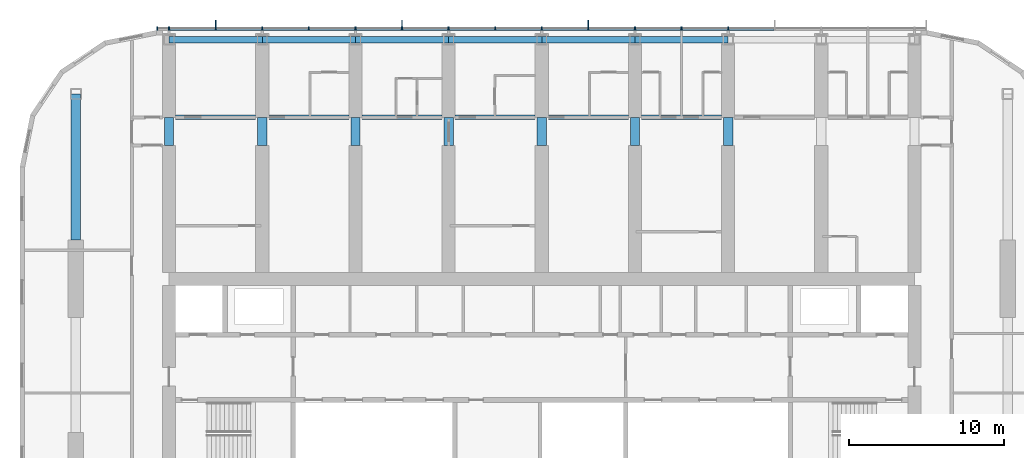
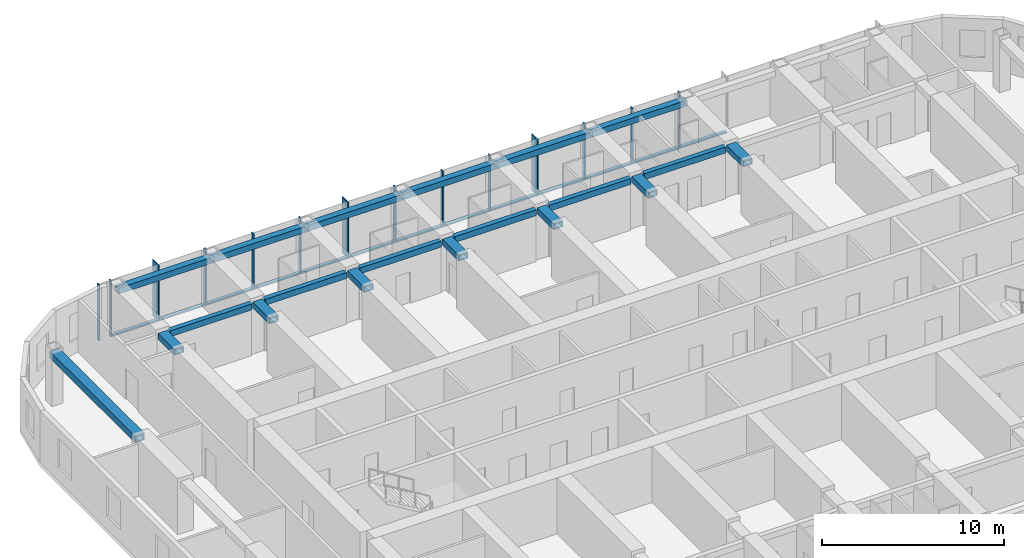
# One storey, part 4 of 23: 30 members, 20 beams, 1 element without a shape of its own.
"""IFC4 building model written with IfcOpenShell, lengths in metres."""

import ifcopenshell
import ifcopenshell.guid

model = None  # the IFC model being written
_history = None  # IfcOwnerHistory: only IFC2X3 demands one
_inside = {}  # id of a spatial element -> (the spatial element, [elements in it])
_under = {}  # id of a project, library or spatial element -> (it, [spatial elements below it])
_declared = {}  # id of a project -> (the project, [libraries it declares])
_typed = {}  # id of a type object -> (the type object, [elements of that type])
_made_of = {}  # id of a material, layer set ... -> (it, [elements and type objects made of it])


def new_model(schema):
    """Start an empty IFC model of exactly this schema.

    Asked for "IFC4X3", IfcOpenShell would pick the latest addendum, in which some entities
    have other attributes; the version numbers below select the first issue.
    IFC2X3 requires an IfcOwnerHistory on every rooted entity: one is made here for all.
    """
    global model, _history
    if schema == "IFC4X3":
        model = ifcopenshell.file(schema_version=(4, 3, 0, 0))
    else:
        model = ifcopenshell.file(schema=schema)
    _inside.clear()
    _under.clear()
    _declared.clear()
    _typed.clear()
    _made_of.clear()
    _history = None
    if model.schema == "IFC2X3":
        org = make("IfcOrganization", Name="unknown")
        user = make(
            "IfcPersonAndOrganization",
            ThePerson=make("IfcPerson", FamilyName="unknown"),
            TheOrganization=org,
        )
        app = make(
            "IfcApplication",
            ApplicationDeveloper=org,
            Version="unknown",
            ApplicationFullName="unknown",
            ApplicationIdentifier="unknown",
        )
        _history = make(
            "IfcOwnerHistory",
            OwningUser=user,
            OwningApplication=app,
            ChangeAction="ADDED",
            CreationDate=0,
        )
    return model


def make(cls, **values):
    """One entity of the class cls with the attributes given. An attribute that is None is left unset."""
    return model.create_entity(
        cls, **{name: value for name, value in values.items() if value is not None}
    )


def rooted(cls, **values):
    """An entity with a GlobalId (a new one), such as an element, a storey or a relation."""
    return make(cls, GlobalId=ifcopenshell.guid.new(), OwnerHistory=_history, **values)


def si_unit(unit_type, name, prefix=None):
    """IfcSIUnit, for example si_unit("LENGTHUNIT", "METRE", prefix="MILLI")."""
    return make("IfcSIUnit", UnitType=unit_type, Prefix=prefix, Name=name)


def assignment(units):
    """IfcUnitAssignment: the units of a project."""
    return None if units is None else make("IfcUnitAssignment", Units=units)


def point(xyz):
    """IfcCartesianPoint."""
    return None if xyz is None else make("IfcCartesianPoint", Coordinates=xyz)


def direction(xyz):
    """IfcDirection."""
    return None if xyz is None else make("IfcDirection", DirectionRatios=xyz)


def frame(location, z_axis=None, x_axis=None):
    """IfcAxis2Placement3D, a coordinate frame: its origin and axes. An axis left out is left unset."""
    return make(
        "IfcAxis2Placement3D",
        Location=point(location),
        Axis=direction(z_axis),
        RefDirection=direction(x_axis),
    )


def frame_2d(location, x_axis=None):
    """IfcAxis2Placement2D, a coordinate frame in the plane: its origin and x axis."""
    return make(
        "IfcAxis2Placement2D", Location=point(location), RefDirection=direction(x_axis)
    )


def origin():
    """The frame at (0, 0, 0) with its axes left unset."""
    return frame((0.0, 0.0, 0.0))


def origin_2d():
    """The frame at (0, 0) in the plane with its x axis left unset."""
    return frame_2d((0.0, 0.0))


def place(relative_to, where):
    """IfcLocalPlacement: puts the frame where relative to a parent placement (None: the world)."""
    return make(
        "IfcLocalPlacement", PlacementRelTo=relative_to, RelativePlacement=where
    )


def context(
    kind, dimensions, precision=None, world=None, true_north=None, identifier=None
):
    """IfcGeometricRepresentationContext, for example the 3D "Model" context."""
    return make(
        "IfcGeometricRepresentationContext",
        ContextIdentifier=identifier,
        ContextType=kind,
        CoordinateSpaceDimension=dimensions,
        Precision=precision,
        WorldCoordinateSystem=world,
        TrueNorth=true_north,
    )


def subcontext(parent, identifier, kind, view, scale=None):
    """IfcGeometricRepresentationSubContext, for example "Body" below "Model"."""
    return make(
        "IfcGeometricRepresentationSubContext",
        ContextIdentifier=identifier,
        ContextType=kind,
        ParentContext=parent,
        TargetScale=scale,
        TargetView=view,
    )


def project(units=None, contexts=None):
    """IfcProject with its units and contexts."""
    return rooted(
        "IfcProject",
        Name="project",
        RepresentationContexts=contexts,
        UnitsInContext=assignment(units),
    )


def spatial(cls, under=None, at=None, **own):
    """A site, building, storey or space (cls), placed at a placement, below another one or the project."""
    s = rooted(cls, ObjectPlacement=at, **own)
    if under is not None:
        _under.setdefault(under.id(), (under, []))[1].append(s)
    return s


def profile(cls, at=None, kind="AREA", **sizes):
    """A parametric profile (cls). Its sizes go by their IFC names, for example OverallWidth=200.0."""
    return make(cls, ProfileType=kind, Position=at, **sizes)


def rectangle(**sizes):
    """IfcRectangleProfileDef."""
    return profile("IfcRectangleProfileDef", **sizes)


def hollow_rectangle(**sizes):
    """IfcRectangleHollowProfileDef."""
    return profile("IfcRectangleHollowProfileDef", **sizes)


def extrude(swept, where, along, depth):
    """IfcExtrudedAreaSolid: the profile swept, set in the frame where, extruded along a direction by depth."""
    return make(
        "IfcExtrudedAreaSolid",
        SweptArea=swept,
        Position=where,
        ExtrudedDirection=direction(along),
        Depth=depth,
    )


def shape(context_of_items, identifier, shape_type, items):
    """IfcShapeRepresentation: the items that make up one representation, for example the "Body"."""
    return make(
        "IfcShapeRepresentation",
        ContextOfItems=context_of_items,
        RepresentationIdentifier=identifier,
        RepresentationType=shape_type,
        Items=items,
    )


def material(Name=None, Category=None):
    """IfcMaterial."""
    return make("IfcMaterial", Name=Name, Category=Category)


def material_profile(
    of_material, cross_section, Name=None, Category=None, Priority=None
):
    """IfcMaterialProfile: a cross section and its material."""
    return make(
        "IfcMaterialProfile",
        Name=Name,
        Material=of_material,
        Profile=cross_section,
        Priority=Priority,
        Category=Category,
    )


def profile_set(profiles, Name=None, composite=None):
    """IfcMaterialProfileSet."""
    return make(
        "IfcMaterialProfileSet",
        Name=Name,
        MaterialProfiles=profiles,
        CompositeProfile=composite,
    )


def made_of(thing, what):
    """Note that an element or type object is made of a material, layer set ...; save() writes the relation."""
    if what is not None:
        _made_of.setdefault(what.id(), (what, []))[1].append(thing)
    return thing


def type_object(cls, material=None, **own):
    """A type object (cls), such as IfcWallType, which elements share."""
    return made_of(rooted(cls, **own), material)


def element(
    cls,
    number,
    at=None,
    inside=None,
    cuts=None,
    type_object=None,
    material=None,
    context=None,
    identifier="Body",
    shape_type=None,
    held_by="IfcProductDefinitionShape",
    body=None,
    shapes=None,
    **own,
):
    """One element of the class cls, such as IfcWall. Its Tag is "e" and its number.

    at: its placement. inside: the storey or other place that contains it. cuts: it is an
    opening in that element (IfcRelVoidsElement). A single representation is given by context,
    identifier, shape_type and body (its items); several are given by shapes. held_by: the class
    of the entity that holds the representations. save() writes the other relations.
    """
    e = rooted(cls, Tag="e%d" % number, ObjectPlacement=at, **own)
    if body is not None:
        shapes = [shape(context, identifier, shape_type, body)]
    if shapes is not None:
        e.Representation = make(held_by, Representations=shapes)
    if inside is not None:
        _inside.setdefault(inside.id(), (inside, []))[1].append(e)
    if cuts is not None:
        rooted(
            "IfcRelVoidsElement", RelatingBuildingElement=cuts, RelatedOpeningElement=e
        )
    if type_object is not None:
        _typed.setdefault(type_object.id(), (type_object, []))[1].append(e)
    return made_of(e, material)


def aggregate(whole, parts):
    """IfcRelAggregates: a whole, such as a stair, and the parts it consists of."""
    return rooted("IfcRelAggregates", RelatingObject=whole, RelatedObjects=parts)


def save(model, path):
    """Write the relations noted so far, then the file.

    IfcRelAggregates (storeys below a building ...), IfcRelContainedInSpatialStructure (elements
    in a storey), IfcRelDefinesByType, IfcRelAssociatesMaterial and IfcRelDeclares: one each for
    every whole, place, type object, material and project.
    """
    for whole, parts in _under.values():
        aggregate(whole, parts)
    for where, things in _inside.values():
        rooted(
            "IfcRelContainedInSpatialStructure",
            RelatedElements=things,
            RelatingStructure=where,
        )
    for kind, things in _typed.values():
        rooted("IfcRelDefinesByType", RelatedObjects=things, RelatingType=kind)
    for what, things in _made_of.values():
        rooted("IfcRelAssociatesMaterial", RelatedObjects=things, RelatingMaterial=what)
    for by, libraries in _declared.values():
        rooted("IfcRelDeclares", RelatingContext=by, RelatedDefinitions=libraries)
    model.write(path)


model = new_model("IFC4")

# Units and contexts
model_context = context("Model", 3, precision=1e-05, world=origin(), true_north=direction((0.0, 1.0)))
body_context = subcontext(model_context, "Body", "Model", "MODEL_VIEW")
ifc_project = project(units=[si_unit("LENGTHUNIT", "METRE"), si_unit("AREAUNIT", "SQUARE_METRE"), si_unit("VOLUMEUNIT", "CUBIC_METRE"), si_unit("PLANEANGLEUNIT", "RADIAN"), si_unit("MASSUNIT", "GRAM", prefix="KILO")], contexts=[model_context])

# Site, building, storey
site_placement = place(None, origin())
site = spatial("IfcSite", under=ifc_project, at=site_placement, CompositionType="ELEMENT")
building_placement = place(site_placement, origin())
building = spatial("IfcBuilding", under=site, at=building_placement, Name="Orbita Commons", CompositionType="ELEMENT")
storey_placement = place(building_placement, frame((0.0, 0.0, 171.10009765625)))
storey = spatial("IfcBuildingStorey", under=building, at=storey_placement, Name="L42", CompositionType="ELEMENT", Elevation=171.10009765625)

# Curtain wall, members
ifc_material_1 = material(Name="Anodised aluminium frame, pale silver", Category="aluminium")
curtain_wall_type = type_object("IfcCurtainWallType", Name="Unitised curtain wall CW-U, full-height vision", PredefinedType="NOTDEFINED", material=ifc_material_1)
curtain_wall_placement = place(storey_placement, origin())
curtain_wall = element("IfcCurtainWall", 1, at=curtain_wall_placement, inside=storey, type_object=curtain_wall_type, Name="Curtain wall north L42", PredefinedType="NOTDEFINED")
ifc_material_2 = material(Name="Anodised aluminium, pale silver", Category="aluminium")
ifc_material_profile_1 = material_profile(ifc_material_2, rectangle(XDim=0.080078125, YDim=0.219970703125, at=origin_2d()), Name="AL 80x220")
ifc_profile_set_1 = profile_set([ifc_material_profile_1], Name="Anodised aluminium, pale silver")
member_type_1 = type_object("IfcMemberType", Name="Curtain wall mullion 80x220", PredefinedType="MULLION", material=ifc_profile_set_1)
member_1_placement = place(storey_placement, frame((54.0, 54.31005859375, -0.25), z_axis=(0.0, 0.0, 1.0), x_axis=(-1.0, 0.0, 0.0)))
member_1 = element("IfcMember", 2, at=member_1_placement, type_object=member_type_1, Name="Mullion 6 CW-L42-N", PredefinedType="MULLION", context=body_context, shape_type="SweptSolid", body=[
    extrude(rectangle(XDim=0.080078125, YDim=0.219970703125, at=origin_2d()), origin(), (0.0, 0.0, 1.0), 3.75),
])
member_2_placement = place(storey_placement, frame((51.0, 54.31005859375, -0.25), z_axis=(0.0, 0.0, 1.0), x_axis=(-1.0, 0.0, 0.0)))
member_2 = element("IfcMember", 3, at=member_2_placement, type_object=member_type_1, Name="Mullion 7 CW-L42-N", PredefinedType="MULLION", context=body_context, shape_type="SweptSolid", body=[
    extrude(rectangle(XDim=0.080078125, YDim=0.219970703125, at=origin_2d()), origin(), (0.0, 0.0, 1.0), 3.75),
])
member_3_placement = place(storey_placement, frame((48.0, 54.31005859375, -0.25), z_axis=(0.0, 0.0, 1.0), x_axis=(-1.0, 0.0, 0.0)))
member_3 = element("IfcMember", 4, at=member_3_placement, type_object=member_type_1, Name="Mullion 8 CW-L42-N", PredefinedType="MULLION", context=body_context, shape_type="SweptSolid", body=[
    extrude(rectangle(XDim=0.080078125, YDim=0.219970703125, at=origin_2d()), origin(), (0.0, 0.0, 1.0), 3.75),
])
member_4_placement = place(storey_placement, frame((45.0, 54.31005859375, -0.25), z_axis=(0.0, 0.0, 1.0), x_axis=(-1.0, 0.0, 0.0)))
member_4 = element("IfcMember", 5, at=member_4_placement, type_object=member_type_1, Name="Mullion 9 CW-L42-N", PredefinedType="MULLION", context=body_context, shape_type="SweptSolid", body=[
    extrude(rectangle(XDim=0.080078125, YDim=0.219970703125, at=origin_2d()), origin(), (0.0, 0.0, 1.0), 3.75),
])
member_5_placement = place(storey_placement, frame((42.0, 54.31005859375, -0.25), z_axis=(0.0, 0.0, 1.0), x_axis=(-1.0, 0.0, 0.0)))
member_5 = element("IfcMember", 6, at=member_5_placement, type_object=member_type_1, Name="Mullion 10 CW-L42-N", PredefinedType="MULLION", context=body_context, shape_type="SweptSolid", body=[
    extrude(rectangle(XDim=0.080078125, YDim=0.219970703125, at=origin_2d()), origin(), (0.0, 0.0, 1.0), 3.75),
])
member_6_placement = place(storey_placement, frame((39.0, 54.31005859375, -0.25), z_axis=(0.0, 0.0, 1.0), x_axis=(-1.0, 0.0, 0.0)))
member_6 = element("IfcMember", 7, at=member_6_placement, type_object=member_type_1, Name="Mullion 11 CW-L42-N", PredefinedType="MULLION", context=body_context, shape_type="SweptSolid", body=[
    extrude(rectangle(XDim=0.080078125, YDim=0.219970703125, at=origin_2d()), origin(), (0.0, 0.0, 1.0), 3.75),
])
member_7_placement = place(storey_placement, frame((36.0, 54.31005859375, -0.25), z_axis=(0.0, 0.0, 1.0), x_axis=(-1.0, 0.0, 0.0)))
member_7 = element("IfcMember", 8, at=member_7_placement, type_object=member_type_1, Name="Mullion 12 CW-L42-N", PredefinedType="MULLION", context=body_context, shape_type="SweptSolid", body=[
    extrude(rectangle(XDim=0.080078125, YDim=0.219970703125, at=origin_2d()), origin(), (0.0, 0.0, 1.0), 3.75),
])
member_8_placement = place(storey_placement, frame((33.0, 54.31005859375, -0.25), z_axis=(0.0, 0.0, 1.0), x_axis=(-1.0, 0.0, 0.0)))
member_8 = element("IfcMember", 9, at=member_8_placement, type_object=member_type_1, Name="Mullion 13 CW-L42-N", PredefinedType="MULLION", context=body_context, shape_type="SweptSolid", body=[
    extrude(rectangle(XDim=0.080078125, YDim=0.219970703125, at=origin_2d()), origin(), (0.0, 0.0, 1.0), 3.75),
])
member_9_placement = place(storey_placement, frame((30.0, 54.31005859375, -0.25), z_axis=(0.0, 0.0, 1.0), x_axis=(-1.0, 0.0, 0.0)))
member_9 = element("IfcMember", 10, at=member_9_placement, type_object=member_type_1, Name="Mullion 14 CW-L42-N", PredefinedType="MULLION", context=body_context, shape_type="SweptSolid", body=[
    extrude(rectangle(XDim=0.080078125, YDim=0.219970703125, at=origin_2d()), origin(), (0.0, 0.0, 1.0), 3.75),
])
member_10_placement = place(storey_placement, frame((27.0, 54.31005859375, -0.25), z_axis=(0.0, 0.0, 1.0), x_axis=(-1.0, 0.0, 0.0)))
member_10 = element("IfcMember", 11, at=member_10_placement, type_object=member_type_1, Name="Mullion 15 CW-L42-N", PredefinedType="MULLION", context=body_context, shape_type="SweptSolid", body=[
    extrude(rectangle(XDim=0.080078125, YDim=0.219970703125, at=origin_2d()), origin(), (0.0, 0.0, 1.0), 3.75),
])
member_11_placement = place(storey_placement, frame((24.0, 54.31005859375, -0.25), z_axis=(0.0, 0.0, 1.0), x_axis=(-1.0, 0.0, 0.0)))
member_11 = element("IfcMember", 12, at=member_11_placement, type_object=member_type_1, Name="Mullion 16 CW-L42-N", PredefinedType="MULLION", context=body_context, shape_type="SweptSolid", body=[
    extrude(rectangle(XDim=0.080078125, YDim=0.219970703125, at=origin_2d()), origin(), (0.0, 0.0, 1.0), 3.75),
])
member_12_placement = place(storey_placement, frame((21.0, 54.31005859375, -0.25), z_axis=(0.0, 0.0, 1.0), x_axis=(-1.0, 0.0, 0.0)))
member_12 = element("IfcMember", 13, at=member_12_placement, type_object=member_type_1, Name="Mullion 17 CW-L42-N", PredefinedType="MULLION", context=body_context, shape_type="SweptSolid", body=[
    extrude(rectangle(XDim=0.080078125, YDim=0.219970703125, at=origin_2d()), origin(), (0.0, 0.0, 1.0), 3.75),
])
member_13_placement = place(storey_placement, frame((18.0, 54.31005859375, -0.25), z_axis=(0.0, 0.0, 1.0), x_axis=(-1.0, 0.0, 0.0)))
member_13 = element("IfcMember", 14, at=member_13_placement, type_object=member_type_1, Name="Mullion 18 CW-L42-N", PredefinedType="MULLION", context=body_context, shape_type="SweptSolid", body=[
    extrude(rectangle(XDim=0.080078125, YDim=0.219970703125, at=origin_2d()), origin(), (0.0, 0.0, 1.0), 3.75),
])
member_14_placement = place(storey_placement, frame((17.239990234375, 54.31005859375, -0.25), z_axis=(0.0, 0.0, 1.0), x_axis=(-1.0, 0.0, 0.0)))
member_14 = element("IfcMember", 15, at=member_14_placement, type_object=member_type_1, Name="Mullion 19 CW-L42-N", PredefinedType="MULLION", context=body_context, shape_type="SweptSolid", body=[
    extrude(rectangle(XDim=0.080078125, YDim=0.219970703125, at=origin_2d()), origin(), (0.0, 0.0, 1.0), 3.75),
])
ifc_material_3 = material(Name="Anodised aluminium, pale silver", Category="aluminium")
ifc_material_profile_2 = material_profile(ifc_material_3, rectangle(XDim=0.219970703125, YDim=0.10009765625, at=origin_2d()), Name="AL 220x100")
ifc_profile_set_2 = profile_set([ifc_material_profile_2], Name="Anodised aluminium, pale silver")
member_type_2 = type_object("IfcMemberType", Name="Curtain wall stack transom 220x100", PredefinedType="USERDEFINED", material=ifc_profile_set_2)
member_15_placement = place(storey_placement, frame((56.9599609375, 54.31005859375, -0.2001953125), z_axis=(-1.0, 0.0, 0.0), x_axis=(0.0, -1.0, 0.0)))
member_15 = element("IfcMember", 16, at=member_15_placement, type_object=member_type_2, Name="Transom 5.1 CW-L42-N", ObjectType="TRANSOM", PredefinedType="USERDEFINED", context=body_context, shape_type="SweptSolid", body=[
    extrude(rectangle(XDim=0.219970703125, YDim=0.10009765625, at=origin_2d()), origin(), (0.0, 0.0, 1.0), 2.919921875),
])
member_16_placement = place(storey_placement, frame((53.9599609375, 54.31005859375, -0.2001953125), z_axis=(-1.0, 0.0, 0.0), x_axis=(0.0, -1.0, 0.0)))
member_16 = element("IfcMember", 17, at=member_16_placement, type_object=member_type_2, Name="Transom 6.1 CW-L42-N", ObjectType="TRANSOM", PredefinedType="USERDEFINED", context=body_context, shape_type="SweptSolid", body=[
    extrude(rectangle(XDim=0.219970703125, YDim=0.10009765625, at=origin_2d()), origin(), (0.0, 0.0, 1.0), 2.919921875),
])
member_17_placement = place(storey_placement, frame((50.9599609375, 54.31005859375, -0.2001953125), z_axis=(-1.0, 0.0, 0.0), x_axis=(0.0, -1.0, 0.0)))
member_17 = element("IfcMember", 18, at=member_17_placement, type_object=member_type_2, Name="Transom 7.1 CW-L42-N", ObjectType="TRANSOM", PredefinedType="USERDEFINED", context=body_context, shape_type="SweptSolid", body=[
    extrude(rectangle(XDim=0.219970703125, YDim=0.10009765625, at=origin_2d()), origin(), (0.0, 0.0, 1.0), 2.919921875),
])
member_18_placement = place(storey_placement, frame((47.9599609375, 54.31005859375, -0.2001953125), z_axis=(-1.0, 0.0, 0.0), x_axis=(0.0, -1.0, 0.0)))
member_18 = element("IfcMember", 19, at=member_18_placement, type_object=member_type_2, Name="Transom 8.1 CW-L42-N", ObjectType="TRANSOM", PredefinedType="USERDEFINED", context=body_context, shape_type="SweptSolid", body=[
    extrude(rectangle(XDim=0.219970703125, YDim=0.10009765625, at=origin_2d()), origin(), (0.0, 0.0, 1.0), 2.919921875),
])
member_19_placement = place(storey_placement, frame((44.9599609375, 54.31005859375, -0.2001953125), z_axis=(-1.0, 0.0, 0.0), x_axis=(0.0, -1.0, 0.0)))
member_19 = element("IfcMember", 20, at=member_19_placement, type_object=member_type_2, Name="Transom 9.1 CW-L42-N", ObjectType="TRANSOM", PredefinedType="USERDEFINED", context=body_context, shape_type="SweptSolid", body=[
    extrude(rectangle(XDim=0.219970703125, YDim=0.10009765625, at=origin_2d()), origin(), (0.0, 0.0, 1.0), 2.919921875),
])
member_20_placement = place(storey_placement, frame((41.9599609375, 54.31005859375, -0.2001953125), z_axis=(-1.0, 0.0, 0.0), x_axis=(0.0, -1.0, 0.0)))
member_20 = element("IfcMember", 21, at=member_20_placement, type_object=member_type_2, Name="Transom 10.1 CW-L42-N", ObjectType="TRANSOM", PredefinedType="USERDEFINED", context=body_context, shape_type="SweptSolid", body=[
    extrude(rectangle(XDim=0.219970703125, YDim=0.10009765625, at=origin_2d()), origin(), (0.0, 0.0, 1.0), 2.919921875),
])
member_21_placement = place(storey_placement, frame((38.9599609375, 54.31005859375, -0.2001953125), z_axis=(-1.0, 0.0, 0.0), x_axis=(0.0, -1.0, 0.0)))
member_21 = element("IfcMember", 22, at=member_21_placement, type_object=member_type_2, Name="Transom 11.1 CW-L42-N", ObjectType="TRANSOM", PredefinedType="USERDEFINED", context=body_context, shape_type="SweptSolid", body=[
    extrude(rectangle(XDim=0.219970703125, YDim=0.10009765625, at=origin_2d()), origin(), (0.0, 0.0, 1.0), 2.919921875),
])
member_22_placement = place(storey_placement, frame((35.9599609375, 54.31005859375, -0.2001953125), z_axis=(-1.0, 0.0, 0.0), x_axis=(0.0, -1.0, 0.0)))
member_22 = element("IfcMember", 23, at=member_22_placement, type_object=member_type_2, Name="Transom 12.1 CW-L42-N", ObjectType="TRANSOM", PredefinedType="USERDEFINED", context=body_context, shape_type="SweptSolid", body=[
    extrude(rectangle(XDim=0.219970703125, YDim=0.10009765625, at=origin_2d()), origin(), (0.0, 0.0, 1.0), 2.919921875),
])
member_23_placement = place(storey_placement, frame((32.9599609375, 54.31005859375, -0.2001953125), z_axis=(-1.0, 0.0, 0.0), x_axis=(0.0, -1.0, 0.0)))
member_23 = element("IfcMember", 24, at=member_23_placement, type_object=member_type_2, Name="Transom 13.1 CW-L42-N", ObjectType="TRANSOM", PredefinedType="USERDEFINED", context=body_context, shape_type="SweptSolid", body=[
    extrude(rectangle(XDim=0.219970703125, YDim=0.10009765625, at=origin_2d()), origin(), (0.0, 0.0, 1.0), 2.919921875),
])
member_24_placement = place(storey_placement, frame((29.9599609375, 54.31005859375, -0.2001953125), z_axis=(-1.0, 0.0, 0.0), x_axis=(0.0, -1.0, 0.0)))
member_24 = element("IfcMember", 25, at=member_24_placement, type_object=member_type_2, Name="Transom 14.1 CW-L42-N", ObjectType="TRANSOM", PredefinedType="USERDEFINED", context=body_context, shape_type="SweptSolid", body=[
    extrude(rectangle(XDim=0.219970703125, YDim=0.10009765625, at=origin_2d()), origin(), (0.0, 0.0, 1.0), 2.919921875),
])
member_25_placement = place(storey_placement, frame((26.9599609375, 54.31005859375, -0.2001953125), z_axis=(-1.0, 0.0, 0.0), x_axis=(0.0, -1.0, 0.0)))
member_25 = element("IfcMember", 26, at=member_25_placement, type_object=member_type_2, Name="Transom 15.1 CW-L42-N", ObjectType="TRANSOM", PredefinedType="USERDEFINED", context=body_context, shape_type="SweptSolid", body=[
    extrude(rectangle(XDim=0.219970703125, YDim=0.10009765625, at=origin_2d()), origin(), (0.0, 0.0, 1.0), 2.919921875),
])
member_26_placement = place(storey_placement, frame((23.9599609375, 54.31005859375, -0.2001953125), z_axis=(-1.0, 0.0, 0.0), x_axis=(0.0, -1.0, 0.0)))
member_26 = element("IfcMember", 27, at=member_26_placement, type_object=member_type_2, Name="Transom 16.1 CW-L42-N", ObjectType="TRANSOM", PredefinedType="USERDEFINED", context=body_context, shape_type="SweptSolid", body=[
    extrude(rectangle(XDim=0.219970703125, YDim=0.10009765625, at=origin_2d()), origin(), (0.0, 0.0, 1.0), 2.919921875),
])
member_27_placement = place(storey_placement, frame((20.9599609375, 54.31005859375, -0.2001953125), z_axis=(-1.0, 0.0, 0.0), x_axis=(0.0, -1.0, 0.0)))
member_27 = element("IfcMember", 28, at=member_27_placement, type_object=member_type_2, Name="Transom 17.1 CW-L42-N", ObjectType="TRANSOM", PredefinedType="USERDEFINED", context=body_context, shape_type="SweptSolid", body=[
    extrude(rectangle(XDim=0.219970703125, YDim=0.10009765625, at=origin_2d()), origin(), (0.0, 0.0, 1.0), 2.919921875),
])

# Beams
ifc_material_4 = material(Name="Steel ASTM A572 Gr 50 welded plate", Category="steel")
ifc_material_profile_3 = material_profile(ifc_material_4, hollow_rectangle(XDim=0.300048828125, YDim=0.39990234375, WallThickness=0.0400390625, at=origin_2d()), Name="BOX 400x300x40")
ifc_profile_set_3 = profile_set([ifc_material_profile_3], Name="Steel ASTM A572 Gr 50 welded plate")
beam_type_1 = type_object("IfcBeamType", Name="Steel corridor link BOX 400x300x40", PredefinedType="BEAM", material=ifc_profile_set_3)
for number, where, z_axis, x_axis, name in (
    (29, (18.425048828125, 48.60009765625, 3.2998046875), (1.0, 0.0, 0.0), (0.0, 1.0, 0.0), "Corridor beam NB 4-5 L42"),
    (30, (24.425048828125, 48.60009765625, 3.2998046875), (1.0, 0.0, 0.0), (0.0, 1.0, 0.0), "Corridor beam NB 5-6 L42"),
    (31, (30.425048828125, 48.60009765625, 3.2998046875), (1.0, 0.0, 0.0), (0.0, 1.0, 0.0), "Corridor beam NB 6-7 L42"),
    (32, (36.425048828125, 48.60009765625, 3.2998046875), (1.0, 0.0, 0.0), (0.0, 1.0, 0.0), "Corridor beam NB 7-8 L42"),
    (33, (42.425048828125, 48.60009765625, 3.2998046875), (1.0, 0.0, 0.0), (0.0, 1.0, 0.0), "Corridor beam NB 8-9 L42"),
    (34, (48.425048828125, 48.60009765625, 3.2998046875), (1.0, 0.0, 0.0), (0.0, 1.0, 0.0), "Corridor beam NB 9-10 L42"),
):
    element("IfcBeam", number, at=place(storey_placement, frame(where, z_axis=z_axis, x_axis=x_axis)), inside=storey, type_object=beam_type_1, Name=name, PredefinedType="BEAM", context=body_context, shape_type="SweptSolid", body=[
        extrude(hollow_rectangle(XDim=0.300048828125, YDim=0.39990234375, WallThickness=0.0400390625, at=origin_2d()), origin(), (0.0, 0.0, 1.0), 5.14990234375),
    ])
ifc_material_5 = material(Name="Steel ASTM A572 Gr 50 welded plate", Category="steel")
ifc_material_profile_4 = material_profile(ifc_material_5, hollow_rectangle(XDim=0.60009765625, YDim=0.39990234375, WallThickness=0.050048828125, at=origin_2d()), Name="BOX 400x600x50")
ifc_profile_set_4 = profile_set([ifc_material_profile_4], Name="Steel ASTM A572 Gr 50 welded plate")
beam_type_2 = type_object("IfcBeamType", Name="Steel coupling link BOX 400x600x50", PredefinedType="LINTEL", material=ifc_profile_set_4)
for number, where, z_axis, x_axis, name in (
    (35, (18.0, 46.800048828125, 3.2998046875), (0.0, 1.0, 0.0), (-1.0, 0.0, 0.0), "Coupling beam 4 north L42"),
    (36, (24.0, 46.800048828125, 3.2998046875), (0.0, 1.0, 0.0), (-1.0, 0.0, 0.0), "Coupling beam 5 north L42"),
    (37, (30.0, 46.800048828125, 3.2998046875), (0.0, 1.0, 0.0), (-1.0, 0.0, 0.0), "Coupling beam 6 north L42"),
    (38, (36.0, 46.800048828125, 3.2998046875), (0.0, 1.0, 0.0), (-1.0, 0.0, 0.0), "Coupling beam 7 north L42"),
    (39, (42.0, 46.800048828125, 3.2998046875), (0.0, 1.0, 0.0), (-1.0, 0.0, 0.0), "Coupling beam 8 north L42"),
    (40, (48.0, 46.800048828125, 3.2998046875), (0.0, 1.0, 0.0), (-1.0, 0.0, 0.0), "Coupling beam 9 north L42"),
    (41, (54.0, 46.800048828125, 3.2998046875), (0.0, 1.0, 0.0), (-1.0, 0.0, 0.0), "Coupling beam 10 north L42"),
):
    element("IfcBeam", number, at=place(storey_placement, frame(where, z_axis=z_axis, x_axis=x_axis)), inside=storey, type_object=beam_type_2, Name=name, PredefinedType="LINTEL", context=body_context, shape_type="SweptSolid", body=[
        extrude(hollow_rectangle(XDim=0.60009765625, YDim=0.39990234375, WallThickness=0.050048828125, at=origin_2d()), origin(), (0.0, 0.0, 1.0), 1.800048828125),
    ])
ifc_material_6 = material(Name="Steel ASTM A572 Gr 50 welded plate", Category="steel")
ifc_material_profile_5 = material_profile(ifc_material_6, hollow_rectangle(XDim=0.60009765625, YDim=0.449951171875, WallThickness=0.06005859375, at=origin_2d()), Name="BOX 450x600x60")
ifc_profile_set_5 = profile_set([ifc_material_profile_5], Name="Steel ASTM A572 Gr 50 welded plate")
beam_type_3 = type_object("IfcBeamType", Name="Steel end frame link BOX 450x600x60", PredefinedType="BEAM", material=ifc_profile_set_5)
beam_placement = place(storey_placement, frame((12.0, 40.699951171875, 3.27490234375), z_axis=(0.0, 1.0, 0.0), x_axis=(-1.0, 0.0, 0.0)))
element("IfcBeam", 42, at=beam_placement, inside=storey, type_object=beam_type_3, Name="End frame beam 3 D-E L42", PredefinedType="BEAM", context=body_context, shape_type="SweptSolid", body=[
    extrude(hollow_rectangle(XDim=0.60009765625, YDim=0.449951171875, WallThickness=0.06005859375, at=origin_2d()), origin(), (0.0, 0.0, 1.0), 9.400146484375),
])
ifc_material_7 = material(Name="Steel ASTM A572 Gr 50 welded plate", Category="steel")
ifc_material_profile_6 = material_profile(ifc_material_7, hollow_rectangle(XDim=0.39990234375, YDim=0.39990234375, WallThickness=0.0400390625, at=origin_2d()), Name="BOX 400x400x40")
ifc_profile_set_6 = profile_set([ifc_material_profile_6], Name="Steel ASTM A572 Gr 50 welded plate")
beam_type_4 = type_object("IfcBeamType", Name="Steel spandrel BOX 400x400x40", PredefinedType="SPANDREL", material=ifc_profile_set_6)
for number, where, z_axis, x_axis, name in (
    (43, (18.0, 53.60009765625, 3.2998046875), (1.0, 0.0, 0.0), (0.0, 1.0, 0.0), "Spandrel beam E 4-5 L42"),
    (44, (24.0, 53.60009765625, 3.2998046875), (1.0, 0.0, 0.0), (0.0, 1.0, 0.0), "Spandrel beam E 5-6 L42"),
    (45, (30.0, 53.60009765625, 3.2998046875), (1.0, 0.0, 0.0), (0.0, 1.0, 0.0), "Spandrel beam E 6-7 L42"),
    (46, (36.0, 53.60009765625, 3.2998046875), (1.0, 0.0, 0.0), (0.0, 1.0, 0.0), "Spandrel beam E 7-8 L42"),
    (47, (42.0, 53.60009765625, 3.2998046875), (1.0, 0.0, 0.0), (0.0, 1.0, 0.0), "Spandrel beam E 8-9 L42"),
    (48, (48.0, 53.60009765625, 3.2998046875), (1.0, 0.0, 0.0), (0.0, 1.0, 0.0), "Spandrel beam E 9-10 L42"),
):
    element("IfcBeam", number, at=place(storey_placement, frame(where, z_axis=z_axis, x_axis=x_axis)), inside=storey, type_object=beam_type_4, Name=name, PredefinedType="SPANDREL", context=body_context, shape_type="SweptSolid", body=[
        extrude(hollow_rectangle(XDim=0.39990234375, YDim=0.39990234375, WallThickness=0.0400390625, at=origin_2d()), origin(), (0.0, 0.0, 1.0), 6.0),
    ])

# Member
ifc_material_8 = material(Name="Anodised aluminium, pale silver", Category="aluminium")
ifc_material_profile_7 = material_profile(ifc_material_8, rectangle(XDim=0.06005859375, YDim=0.449951171875, at=origin_2d()), Name="FIN 60x450")
ifc_profile_set_7 = profile_set([ifc_material_profile_7], Name="Anodised aluminium, pale silver")
member_type_3 = type_object("IfcMemberType", Name="Vertical fin 60x450 pale aluminium", PredefinedType="USERDEFINED", material=ifc_profile_set_7)
member_28_placement = place(storey_placement, frame((45.0, 54.64501953125, -0.25), z_axis=(0.0, 0.0, 1.0), x_axis=(-1.0, 0.0, 0.0)))
member_28 = element("IfcMember", 49, at=member_28_placement, type_object=member_type_3, Name="Fin 9 CW-L42-N", ObjectType="FIN", PredefinedType="USERDEFINED", context=body_context, shape_type="SweptSolid", body=[
    extrude(rectangle(XDim=0.06005859375, YDim=0.449951171875, at=origin_2d()), origin(), (0.0, 0.0, 1.0), 3.75),
])

member_29_placement = place(storey_placement, frame((33.0, 54.64501953125, -0.25), z_axis=(0.0, 0.0, 1.0), x_axis=(-1.0, 0.0, 0.0)))
member_29 = element("IfcMember", 50, at=member_29_placement, type_object=member_type_3, Name="Fin 13 CW-L42-N", ObjectType="FIN", PredefinedType="USERDEFINED", context=body_context, shape_type="SweptSolid", body=[
    extrude(rectangle(XDim=0.06005859375, YDim=0.449951171875, at=origin_2d()), origin(), (0.0, 0.0, 1.0), 3.75),
])

member_30_placement = place(storey_placement, frame((21.0, 54.64501953125, -0.25), z_axis=(0.0, 0.0, 1.0), x_axis=(-1.0, 0.0, 0.0)))
member_30 = element("IfcMember", 51, at=member_30_placement, type_object=member_type_3, Name="Fin 17 CW-L42-N", ObjectType="FIN", PredefinedType="USERDEFINED", context=body_context, shape_type="SweptSolid", body=[
    extrude(rectangle(XDim=0.06005859375, YDim=0.449951171875, at=origin_2d()), origin(), (0.0, 0.0, 1.0), 3.75),
])

aggregate(curtain_wall, [member_1, member_2, member_3, member_4, member_28, member_5, member_6, member_7, member_8, member_29, member_9, member_10, member_11, member_12, member_30, member_13, member_14, member_15, member_16, member_17, member_18, member_19, member_20, member_21, member_22, member_23, member_24, member_25, member_26, member_27])

save(model, "model.ifc")
